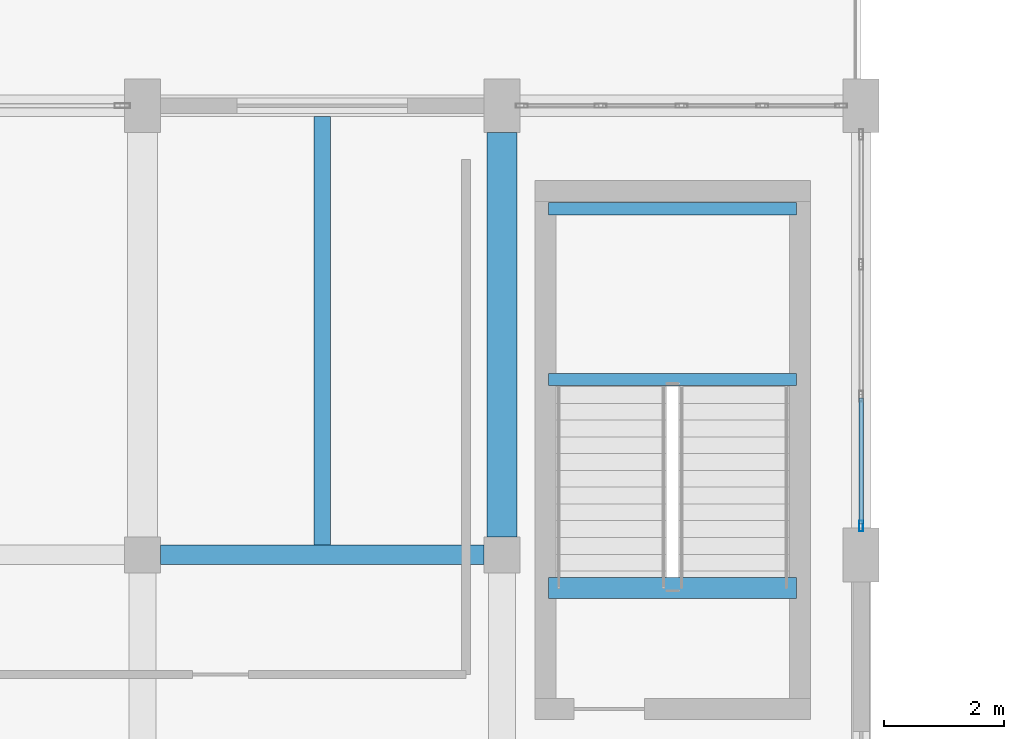
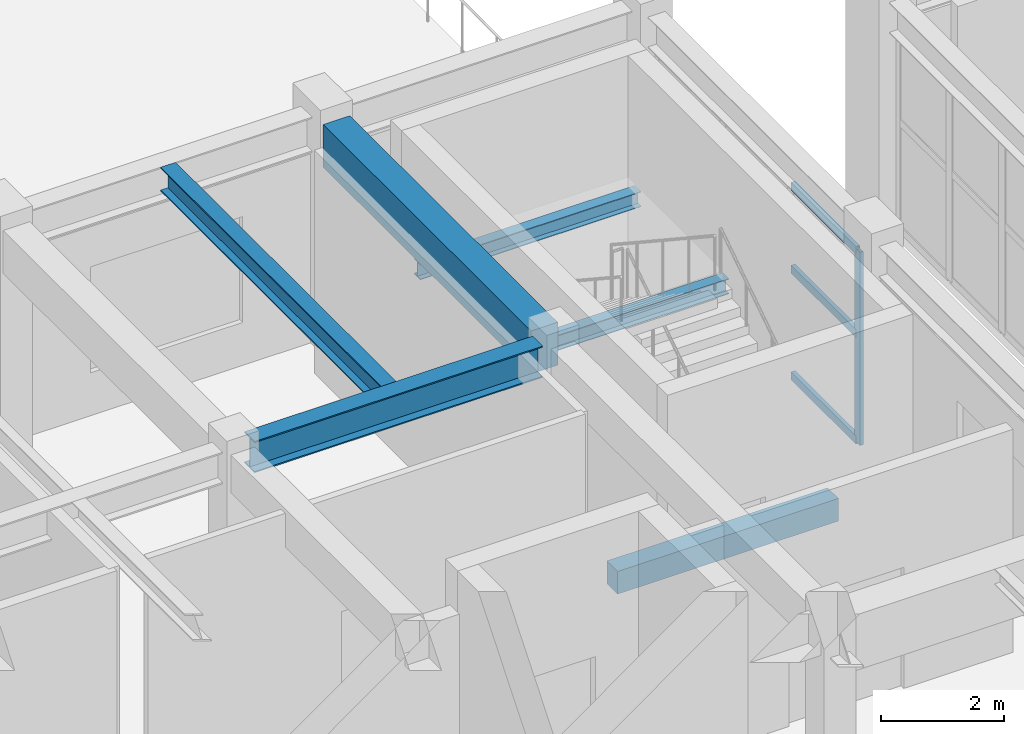
# One storey, part 38 of 80: 6 beams, 4 members, 1 element without a shape of its own.
"""IFC4 building model written with IfcOpenShell, lengths in metres."""

from ifc_helpers import new_model, si_unit, direction, frame, origin, origin_2d, place, context, subcontext, project, spatial, rectangle, hollow_rectangle, i_section, extrude, material, layer, layer_set, material_profile, profile_set, type_object, element, aggregate, save


model = new_model("IFC4")

# Units and contexts
model_context = context("Model", 3, precision=1e-05, world=origin(), true_north=direction((0.0, 1.0)))
body_context = subcontext(model_context, "Body", "Model", "MODEL_VIEW")
ifc_project = project(units=[si_unit("LENGTHUNIT", "METRE"), si_unit("AREAUNIT", "SQUARE_METRE"), si_unit("VOLUMEUNIT", "CUBIC_METRE"), si_unit("PLANEANGLEUNIT", "RADIAN"), si_unit("MASSUNIT", "GRAM", prefix="KILO")], contexts=[model_context])

# Site, building, storey
site_placement = place(None, origin())
site = spatial("IfcSite", under=ifc_project, at=site_placement, CompositionType="ELEMENT")
building_placement = place(site_placement, origin())
building = spatial("IfcBuilding", under=site, at=building_placement, Name="Vaelkrest Opera House", CompositionType="ELEMENT")
storey_placement = place(building_placement, frame((0.0, 0.0, 15.0)))
storey = spatial("IfcBuildingStorey", under=building, at=storey_placement, Name="L03", CompositionType="ELEMENT", Elevation=15.0)

# Beams
ifc_material_1 = material(Name="Concrete C50/60", Category="concrete")
ifc_material_profile_1 = material_profile(ifc_material_1, rectangle(XDim=0.5, YDim=0.85009765625, at=origin_2d()), Name="RCB500X850")
ifc_profile_set_1 = profile_set([ifc_material_profile_1], Name="Concrete C50/60")
beam_type_1 = type_object("IfcBeamType", Name="B03", PredefinedType="BEAM", material=ifc_profile_set_1)
beam_1_placement = place(storey_placement, frame((-39.60009765625, 10.5, 4.080078125), z_axis=(0.0, 1.0, 0.0), x_axis=(-1.0, 0.0, 0.0)))
element("IfcBeam", 1, at=beam_1_placement, inside=storey, type_object=beam_type_1, Name="Beam BM-V3-L03-1784", PredefinedType="BEAM", context=body_context, shape_type="SweptSolid", body=[
    extrude(rectangle(XDim=0.5, YDim=0.85009765625, at=origin_2d()), origin(), (0.0, 0.0, 1.0), 6.75),
])
ifc_material_2 = material(Name="Steel A992 Gr50", Category="steel")
ifc_material_profile_2 = material_profile(ifc_material_2, i_section(OverallWidth=0.326904296875, OverallDepth=0.6220703125, WebThickness=0.015380859375, FlangeThickness=0.0244140625, at=origin_2d()), Name="W24X131")
ifc_profile_set_2 = profile_set([ifc_material_profile_2], Name="Steel A992 Gr50")
beam_type_2 = type_object("IfcBeamType", Name="B19", PredefinedType="BEAM", material=ifc_profile_set_2)
beam_2_placement = place(storey_placement, frame((-45.300048828125, 10.199951171875, 4.194091796875), z_axis=(1.0, 0.0, 0.0), x_axis=(0.0, 1.0, 0.0)))
element("IfcBeam", 2, at=beam_2_placement, inside=storey, type_object=beam_type_2, Name="Beam BM-V3-L03-1755", PredefinedType="BEAM", context=body_context, shape_type="SweptSolid", body=[
    extrude(i_section(OverallWidth=0.326904296875, OverallDepth=0.6220703125, WebThickness=0.015380859375, FlangeThickness=0.0244140625, at=origin_2d()), origin(), (0.0, 0.0, 1.0), 5.400146484375),
])

# Curtain wall, members
ifc_material_3 = material(Name="Dark bronze anodized aluminium", Category="aluminium")
ifc_layer = layer(ifc_material_3, 0.219970703125)
ifc_layer_set = layer_set([ifc_layer], Name="Dark bronze anodized aluminium")
curtain_wall_type = type_object("IfcCurtainWallType", Name="CW05", PredefinedType="NOTDEFINED", material=ifc_layer_set)
curtain_wall_placement = place(storey_placement, origin())
curtain_wall = element("IfcCurtainWall", 3, at=curtain_wall_placement, inside=storey, type_object=curtain_wall_type, Name="Curtain wall CW-L03-135", PredefinedType="NOTDEFINED")
ifc_material_profile_3 = material_profile(ifc_material_3, hollow_rectangle(XDim=0.06494140625, YDim=0.179931640625, WallThickness=0.00390625, at=origin_2d()), Name="CWM65X180")
ifc_profile_set_3 = profile_set([ifc_material_profile_3], Name="Dark bronze anodized aluminium")
member_type_1 = type_object("IfcMemberType", Name="CWM01", PredefinedType="MULLION", material=ifc_profile_set_3)
member_1_placement = place(storey_placement, frame((-33.60009765625, 10.680419921875, 0.0), z_axis=(0.0, 0.0, 1.0), x_axis=(1.0, 0.0, 0.0)))
member_1 = element("IfcMember", 4, at=member_1_placement, type_object=member_type_1, Name="CW05 mullion 4", PredefinedType="MULLION", context=body_context, shape_type="SweptSolid", body=[
    extrude(hollow_rectangle(XDim=0.06494140625, YDim=0.179931640625, WallThickness=0.00390625, at=origin_2d()), origin(), (0.0, 0.0, 1.0), 3.8291015625),
])
ifc_material_profile_4 = material_profile(ifc_material_3, hollow_rectangle(XDim=0.074951171875, YDim=0.159912109375, WallThickness=0.00439453125, at=origin_2d()), Name="CWT75X160")
ifc_profile_set_4 = profile_set([ifc_material_profile_4], Name="Dark bronze anodized aluminium")
member_type_2 = type_object("IfcMemberType", Name="CWT03", PredefinedType="USERDEFINED", material=ifc_profile_set_4)
member_2_placement = place(storey_placement, frame((-33.60009765625, 12.81689453125, 0.03759765625), z_axis=(0.0, -1.0, 0.0), x_axis=(1.0, 0.0, 0.0)))
member_2 = element("IfcMember", 5, at=member_2_placement, type_object=member_type_2, Name="CW05 transom 3.1", ObjectType="TRANSOM", PredefinedType="USERDEFINED", context=body_context, shape_type="SweptSolid", body=[
    extrude(hollow_rectangle(XDim=0.074951171875, YDim=0.159912109375, WallThickness=0.00439453125, at=origin_2d()), origin(), (0.0, 0.0, 1.0), 2.10400390625),
])
member_3_placement = place(storey_placement, frame((-33.60009765625, 12.81689453125, 2.14990234375), z_axis=(0.0, -1.0, 0.0), x_axis=(1.0, 0.0, 0.0)))
member_3 = element("IfcMember", 6, at=member_3_placement, type_object=member_type_2, Name="CW05 transom 3.2", ObjectType="TRANSOM", PredefinedType="USERDEFINED", context=body_context, shape_type="SweptSolid", body=[
    extrude(hollow_rectangle(XDim=0.074951171875, YDim=0.159912109375, WallThickness=0.00439453125, at=origin_2d()), origin(), (0.0, 0.0, 1.0), 2.10400390625),
])
member_4_placement = place(storey_placement, frame((-33.60009765625, 12.81689453125, 3.79150390625), z_axis=(0.0, -1.0, 0.0), x_axis=(1.0, 0.0, 0.0)))
member_4 = element("IfcMember", 7, at=member_4_placement, type_object=member_type_2, Name="CW05 transom 3.3", ObjectType="TRANSOM", PredefinedType="USERDEFINED", context=body_context, shape_type="SweptSolid", body=[
    extrude(hollow_rectangle(XDim=0.074951171875, YDim=0.159912109375, WallThickness=0.00439453125, at=origin_2d()), origin(), (0.0, 0.0, 1.0), 2.10400390625),
])
aggregate(curtain_wall, [member_1, member_2, member_3, member_4])

# Beams
ifc_material_profile_5 = material_profile(ifc_material_2, i_section(OverallWidth=0.202880859375, OverallDepth=0.302978515625, WebThickness=0.007568359375, FlangeThickness=0.01318359375, at=origin_2d()), Name="W12X40")
ifc_profile_set_5 = profile_set([ifc_material_profile_5], Name="Steel A992 Gr50")
beam_type_3 = type_object("IfcBeamType", Name="J02", PredefinedType="JOIST", material=ifc_profile_set_5)
for number, where, z_axis, x_axis, name in (
    (8, (-38.820068359375, 13.1298828125, 2.048583984375), (1.0, 0.0, 0.0), (0.0, 1.0, 0.0), "Stair landing bearer beam ST08 L03-1N"),
    (9, (-38.820068359375, 15.97998046875, 2.048583984375), (1.0, 0.0, 0.0), (0.0, 1.0, 0.0), "Stair landing bearer beam ST08 L03-1F"),
):
    element("IfcBeam", number, at=place(storey_placement, frame(where, z_axis=z_axis, x_axis=x_axis)), inside=storey, type_object=beam_type_3, Name=name, PredefinedType="JOIST", context=body_context, shape_type="SweptSolid", body=[
        extrude(i_section(OverallWidth=0.202880859375, OverallDepth=0.302978515625, WebThickness=0.007568359375, FlangeThickness=0.01318359375, at=origin_2d()), origin(), (0.0, 0.0, 1.0), 4.14013671875),
    ])
ifc_material_profile_6 = material_profile(ifc_material_2, i_section(OverallWidth=0.282958984375, OverallDepth=0.471923828125, WebThickness=0.013671875, FlangeThickness=0.022216796875, at=origin_2d()), Name="W18X97")
ifc_profile_set_6 = profile_set([ifc_material_profile_6], Name="Steel A992 Gr50")
beam_type_4 = type_object("IfcBeamType", Name="J10", PredefinedType="JOIST", material=ifc_profile_set_6)
beam_3_placement = place(storey_placement, frame((-42.60009765625, 10.363525390625, 4.26904296875), z_axis=(0.0, 1.0, 0.0), x_axis=(-1.0, 0.0, 0.0)))
element("IfcBeam", 10, at=beam_3_placement, inside=storey, type_object=beam_type_4, Name="Floor joist JST-V3-L03-1800", PredefinedType="JOIST", context=body_context, shape_type="SweptSolid", body=[
    extrude(i_section(OverallWidth=0.282958984375, OverallDepth=0.471923828125, WebThickness=0.013671875, FlangeThickness=0.022216796875, at=origin_2d()), origin(), (0.0, 0.0, 1.0), 7.158935546875),
])
ifc_material_profile_7 = material_profile(ifc_material_1, rectangle(XDim=0.35009765625, YDim=0.449951171875, at=origin_2d()), Name="RCB350X450")
ifc_profile_set_7 = profile_set([ifc_material_profile_7], Name="Concrete C50/60")
beam_type_5 = type_object("IfcBeamType", Name="LN01", PredefinedType="LINTEL", material=ifc_profile_set_7)
beam_4_placement = place(storey_placement, frame((-38.820068359375, 9.64990234375, -0.22509765625), z_axis=(1.0, 0.0, 0.0), x_axis=(0.0, 1.0, 0.0)))
element("IfcBeam", 11, at=beam_4_placement, inside=storey, type_object=beam_type_5, Name="Stairwell trimmer beam ST08 L03", PredefinedType="LINTEL", context=body_context, shape_type="SweptSolid", body=[
    extrude(rectangle(XDim=0.35009765625, YDim=0.449951171875, at=origin_2d()), origin(), (0.0, 0.0, 1.0), 4.14013671875),
])

save(model, "model.ifc")
